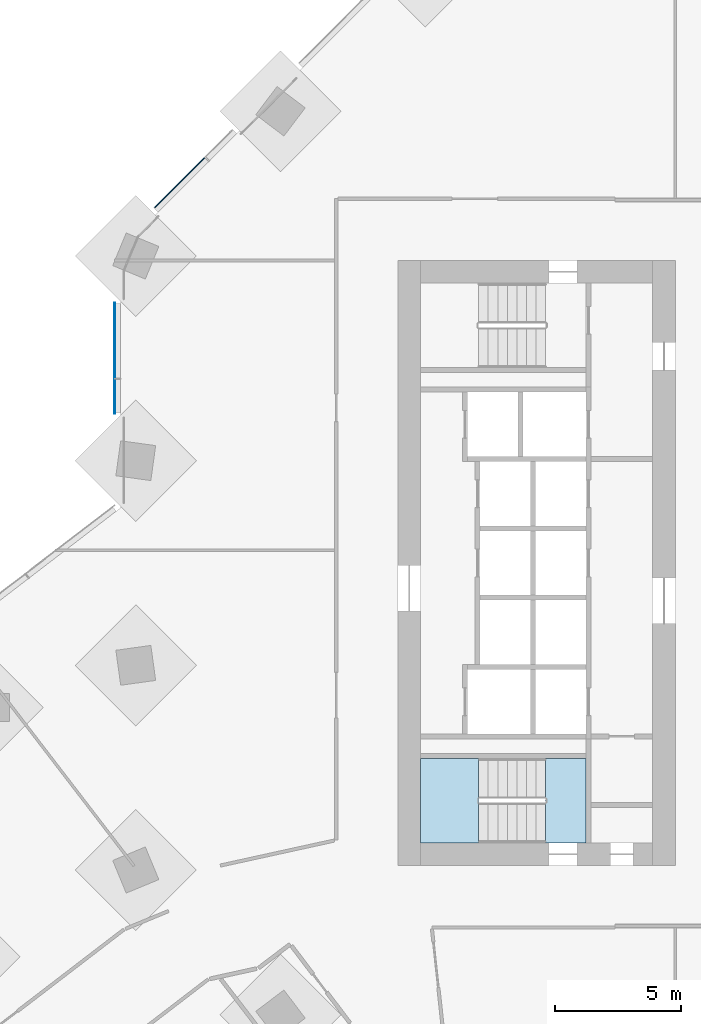
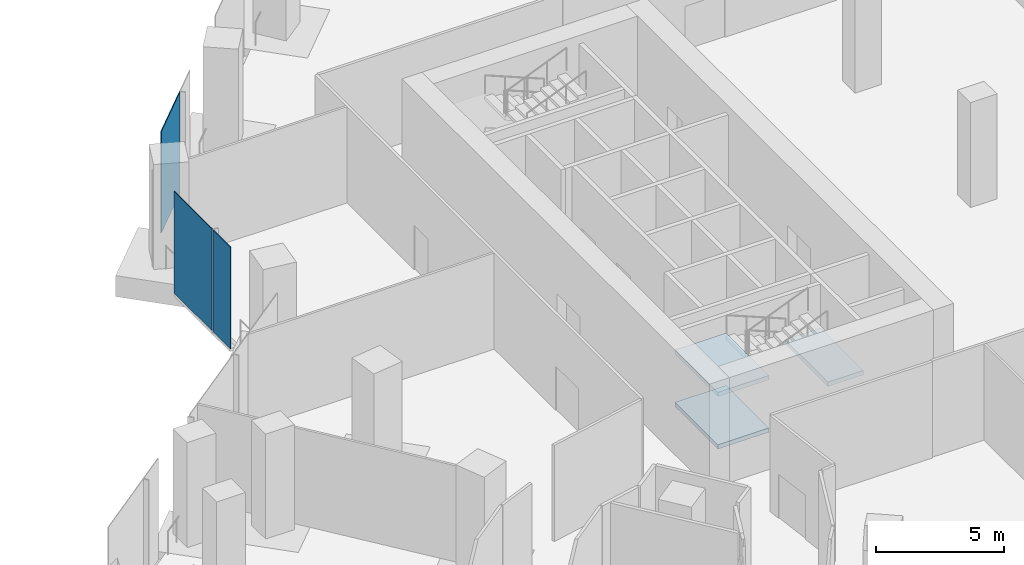
# One storey, part 14 of 27: 3 plates, 3 slabs, 3 elements without a shape of their own.
"""IFC4 building model written with IfcOpenShell, lengths in metres."""

from ifc_helpers import new_model, si_unit, direction, frame, origin, origin_2d, place, context, subcontext, project, spatial, polyline, rectangle, outline, extrude, material, layer, layer_set, type_object, element, aggregate, save


model = new_model("IFC4")

# Units and contexts
model_context = context("Model", 3, precision=1e-05, world=origin(), true_north=direction((0.0, 1.0)))
body_context = subcontext(model_context, "Body", "Model", "MODEL_VIEW")
ifc_project = project(units=[si_unit("LENGTHUNIT", "METRE"), si_unit("AREAUNIT", "SQUARE_METRE"), si_unit("VOLUMEUNIT", "CUBIC_METRE"), si_unit("PLANEANGLEUNIT", "RADIAN"), si_unit("MASSUNIT", "GRAM", prefix="KILO")], contexts=[model_context])

# Site, building, storey
site_placement = place(None, origin())
site = spatial("IfcSite", under=ifc_project, at=site_placement, CompositionType="ELEMENT")
building_placement = place(site_placement, origin())
building = spatial("IfcBuilding", under=site, at=building_placement, Name="Orlundy Tower", CompositionType="ELEMENT")
storey_placement = place(building_placement, frame((0.0, 0.0, 10.5)))
storey = spatial("IfcBuildingStorey", under=building, at=storey_placement, Name="L01", CompositionType="ELEMENT", Elevation=10.5)

# Curtain wall, plates
ifc_material_1 = material(Name="Aluminium bronze anodised", Category="aluminium")
curtain_wall_type = type_object("IfcCurtainWallType", Name="CW2 wall", PredefinedType="NOTDEFINED", material=ifc_material_1)
curtain_wall_1_placement = place(storey_placement, origin())
curtain_wall_1 = element("IfcCurtainWall", 1, at=curtain_wall_1_placement, inside=storey, type_object=curtain_wall_type, Name="CW2 run 013", PredefinedType="NOTDEFINED")
ifc_material_2 = material(Name="Tinted glass", Category="glass")
ifc_layer_1 = layer(ifc_material_2, 0.0380859375)
ifc_layer_set_1 = layer_set([ifc_layer_1], Name="CW2 glass panel 38")
plate_type = type_object("IfcPlateType", Name="CW2 glass panel 38", PredefinedType="CURTAIN_PANEL", material=ifc_layer_set_1)
plate_1_placement = place(storey_placement, frame((-30.23095703125, 6.59912109375, -0.25), z_axis=(0.0, 0.0, 1.0), x_axis=(0.0, 1.0, 0.0)))
plate_1 = element("IfcPlate", 2, at=plate_1_placement, type_object=plate_type, Name="CW2 panel", PredefinedType="CURTAIN_PANEL", context=body_context, shape_type="SweptSolid", body=[
    extrude(rectangle(XDim=1.367919921875, YDim=0.0380859375, at=origin_2d()), origin(), (0.0, 0.0, 1.0), 4.85009765625),
])
plate_2_placement = place(storey_placement, frame((-30.23095703125, 8.827392578125, -0.25), z_axis=(0.0, 0.0, 1.0), x_axis=(0.0, 1.0, 0.0)))
plate_2 = element("IfcPlate", 3, at=plate_2_placement, type_object=plate_type, Name="CW2 panel", PredefinedType="CURTAIN_PANEL", context=body_context, shape_type="SweptSolid", body=[
    extrude(rectangle(XDim=2.989013671875, YDim=0.0380859375, at=origin_2d()), origin(), (0.0, 0.0, 1.0), 4.85009765625),
])
aggregate(curtain_wall_1, [plate_1, plate_2])

# Curtain wall, plate
curtain_wall_2_placement = place(storey_placement, origin())
curtain_wall_2 = element("IfcCurtainWall", 4, at=curtain_wall_2_placement, inside=storey, type_object=curtain_wall_type, Name="CW2 run 014", PredefinedType="NOTDEFINED")
plate_3_placement = place(storey_placement, frame((-27.655029296875, 15.09765625, -0.25), z_axis=(0.0, 0.0, 1.0), x_axis=(0.707106781187, 0.707106781187, 0.0)))
plate_3 = element("IfcPlate", 5, at=plate_3_placement, type_object=plate_type, Name="CW2 panel", PredefinedType="CURTAIN_PANEL", context=body_context, shape_type="SweptSolid", body=[
    extrude(rectangle(XDim=2.796875, YDim=0.0380859375, at=origin_2d()), origin(), (0.0, 0.0, 1.0), 4.85009765625),
])
aggregate(curtain_wall_2, [plate_3])

# Stair, slabs
ifc_material_3 = material(Name="Concrete C50/60", Category="concrete")
stair_type = type_object("IfcStairType", Name="Exit Stair 32 risers", PredefinedType="HALF_TURN_STAIR", material=ifc_material_3)
stair_placement = place(storey_placement, origin())
stair = element("IfcStair", 6, at=stair_placement, inside=storey, type_object=stair_type, Name="L01 Exit Stair ST-W2", PredefinedType="HALF_TURN_STAIR")
ifc_material_4 = material(Name="Concrete C50/60", Category="concrete")
ifc_layer_2 = layer(ifc_material_4, 0.199951171875)
ifc_layer_set_2 = layer_set([ifc_layer_2], Name="Exit Stair Landing")
slab_type = type_object("IfcSlabType", Name="Exit Stair Landing", PredefinedType="LANDING", material=ifc_layer_set_2)
slab_1_placement = place(storey_placement, frame((0.0, 0.0, 1.050048828125)))
slab_1 = element("IfcSlab", 7, at=slab_1_placement, type_object=slab_type, Name="ST-W2 landing 1", PredefinedType="LANDING", context=body_context, shape_type="SweptSolid", body=[
    extrude(outline(polyline([(-15.800048828125, -7.75), (-18.10009765625, -7.75), (-18.10009765625, -11.10009765625), (-15.800048828125, -11.10009765625), (-15.800048828125, -7.75)])), origin(), (0.0, 0.0, 1.0), 0.199951171875),
])
slab_2_placement = place(storey_placement, frame((0.0, 0.0, 2.300048828125)))
slab_2 = element("IfcSlab", 8, at=slab_2_placement, type_object=slab_type, Name="ST-W2 landing 2", PredefinedType="LANDING", context=body_context, shape_type="SweptSolid", body=[
    extrude(outline(polyline([(-11.5400390625, -7.75), (-13.139892578125, -7.75), (-13.139892578125, -11.10009765625), (-11.5400390625, -11.10009765625), (-11.5400390625, -7.75)])), origin(), (0.0, 0.0, 1.0), 0.199951171875),
])
slab_3_placement = place(storey_placement, frame((0.0, 0.0, 3.550048828125)))
slab_3 = element("IfcSlab", 9, at=slab_3_placement, type_object=slab_type, Name="ST-W2 landing 3", PredefinedType="LANDING", context=body_context, shape_type="SweptSolid", body=[
    extrude(outline(polyline([(-15.800048828125, -7.75), (-18.10009765625, -7.75), (-18.10009765625, -11.10009765625), (-15.800048828125, -11.10009765625), (-15.800048828125, -7.75)])), origin(), (0.0, 0.0, 1.0), 0.199951171875),
])
aggregate(stair, [slab_1, slab_2, slab_3])

save(model, "model.ifc")
